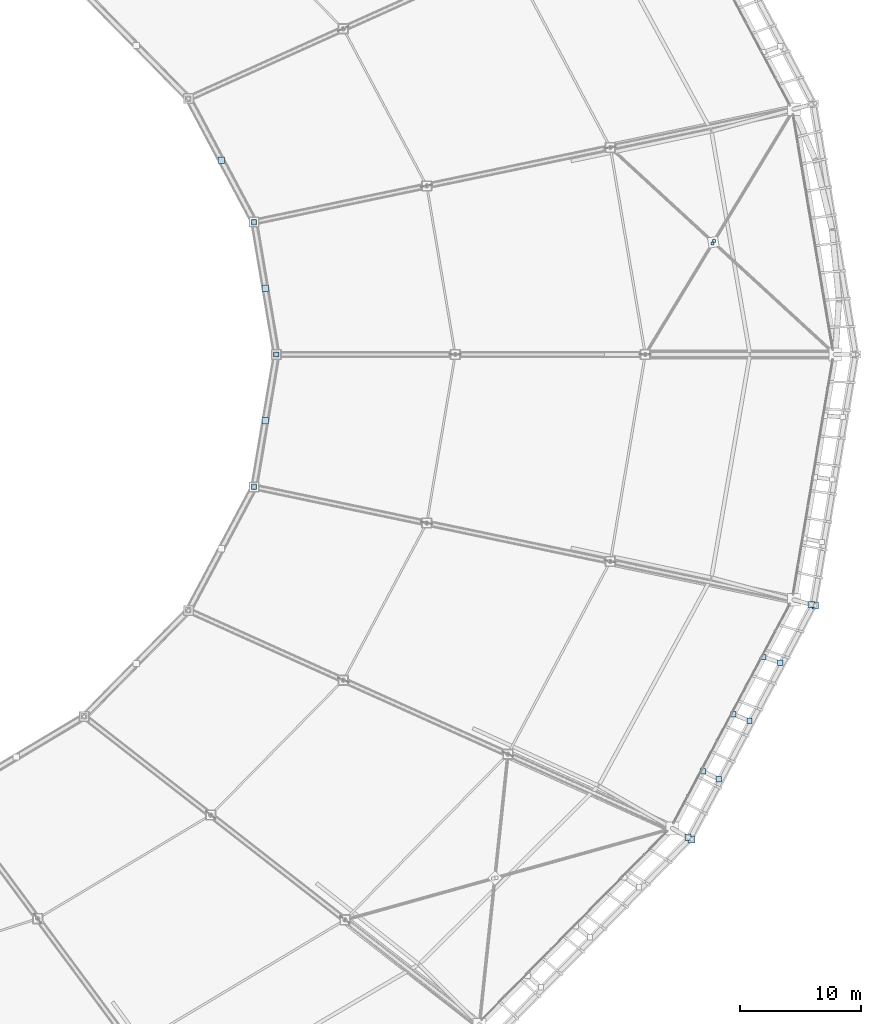
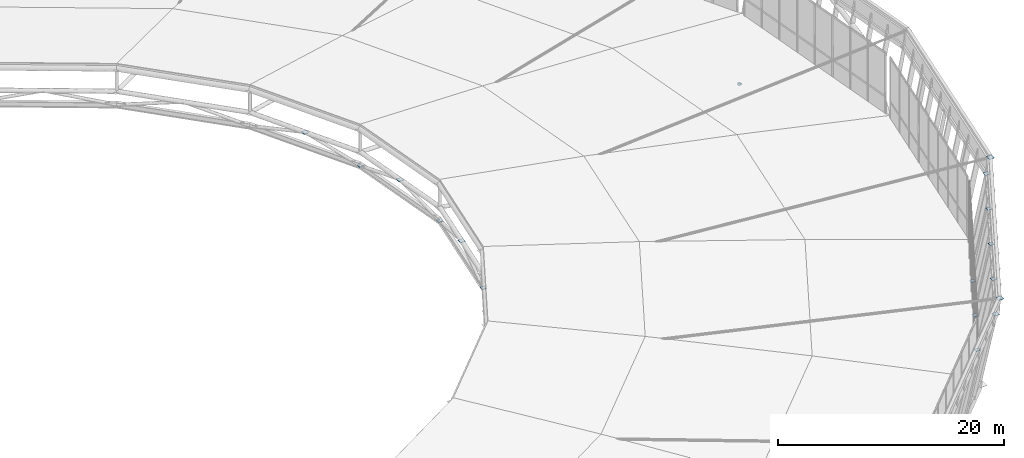
# One storey, part 106 of 115: 18 plates.
"""IFC4 building model written with IfcOpenShell, lengths in metres."""

from ifc_helpers import new_model, si_unit, direction, frame, origin, origin_2d, place, context, subcontext, project, spatial, rectangle, extrude, material, layer, layer_set, type_object, element, save


model = new_model("IFC4")

# Units and contexts
model_context = context("Model", 3, precision=1e-05, world=origin(), true_north=direction((0.0, 1.0)))
body_context = subcontext(model_context, "Body", "Model", "MODEL_VIEW")
ifc_project = project(units=[si_unit("LENGTHUNIT", "METRE"), si_unit("AREAUNIT", "SQUARE_METRE"), si_unit("VOLUMEUNIT", "CUBIC_METRE"), si_unit("PLANEANGLEUNIT", "RADIAN"), si_unit("MASSUNIT", "GRAM", prefix="KILO")], contexts=[model_context])

# Site, building, storey
site_placement = place(None, origin())
site = spatial("IfcSite", under=ifc_project, at=site_placement, CompositionType="ELEMENT")
building_placement = place(site_placement, origin())
building = spatial("IfcBuilding", under=site, at=building_placement, Name="Zlatoyarsky Gate Stadium", CompositionType="ELEMENT")
storey_placement = place(building_placement, frame((0.0, 0.0, 31.800048828125)))
storey = spatial("IfcBuildingStorey", under=building, at=storey_placement, Name="RF", CompositionType="ELEMENT", Elevation=31.800048828125)

# Plates
ifc_material = material(Name="Steel S355", Category="steel")
ifc_layer = layer(ifc_material, 0.02392578125)
ifc_layer_set = layer_set([ifc_layer], Name="Steel S355")
plate_type = type_object("IfcPlateType", Name="STEEL HOLLOW CHORD SPLICE SHEET 24", PredefinedType="SHEET", material=ifc_layer_set)
plate_1_placement = place(storey_placement, frame((164.094482421875, 85.45263671875, 6.43798828125), z_axis=(0.0, 0.0, 1.0), x_axis=(1.0, 0.0, 0.0)))
element("IfcPlate", 1, at=plate_1_placement, inside=storey, type_object=plate_type, Name="Node closure plate ND-SP1 NCAP-CATM-00", PredefinedType="SHEET", context=body_context, shape_type="SweptSolid", body=[
    extrude(rectangle(XDim=0.52001953125, YDim=0.52001953125, at=origin_2d()), origin(), (0.0, 0.0, 1.0), 0.02392578125),
])
plate_2_placement = place(storey_placement, frame((165.014892578125, 80.0, 4.988037109375), z_axis=(0.0, 0.0, 1.0), x_axis=(1.0, 0.0, 0.0)))
element("IfcPlate", 2, at=plate_2_placement, inside=storey, type_object=plate_type, Name="Node closure plate ND-SP1 NCAP-CAT-00", PredefinedType="SHEET", context=body_context, shape_type="SweptSolid", body=[
    extrude(rectangle(XDim=0.449951171875, YDim=0.449951171875, at=origin_2d()), origin(), (0.0, 0.0, 1.0), 0.02392578125),
])
for number, where, z_axis, x_axis, name in (
    (3, (201.04541015625, 89.345458984375, 1.564697265625), (0.0, 0.0, 1.0), (1.0, 0.0, 0.0), "Node closure plate ND-SP1 NCAP-XBH1-00"),
    (4, (200.9189453125, 89.136474609375, 1.599853515625), (0.0, 0.0, 1.0), (1.0, 0.0, 0.0), "Node closure plate ND-SP1 NCAP-XBH2-00"),
):
    element("IfcPlate", number, at=place(storey_placement, frame(where, z_axis=z_axis, x_axis=x_axis)), inside=storey, type_object=plate_type, Name=name, PredefinedType="SHEET", context=body_context, shape_type="SweptSolid", body=[
        extrude(rectangle(XDim=0.280029296875, YDim=0.280029296875, at=origin_2d()), origin(), (0.0, 0.0, 1.0), 0.02392578125),
    ])
plate_3_placement = place(storey_placement, frame((160.476318359375, 95.986328125, 6.43798828125), z_axis=(0.0, 0.0, 1.0), x_axis=(1.0, 0.0, 0.0)))
element("IfcPlate", 5, at=plate_3_placement, inside=storey, type_object=plate_type, Name="Node closure plate ND-SP1 NCAP-CATM-01", PredefinedType="SHEET", context=body_context, shape_type="SweptSolid", body=[
    extrude(rectangle(XDim=0.52001953125, YDim=0.52001953125, at=origin_2d()), origin(), (0.0, 0.0, 1.0), 0.02392578125),
])
plate_4_placement = place(storey_placement, frame((163.17431640625, 90.9052734375, 4.988037109375), z_axis=(0.0, 0.0, 1.0), x_axis=(1.0, 0.0, 0.0)))
element("IfcPlate", 6, at=plate_4_placement, inside=storey, type_object=plate_type, Name="Node closure plate ND-SP1 NCAP-CAT-01", PredefinedType="SHEET", context=body_context, shape_type="SweptSolid", body=[
    extrude(rectangle(XDim=0.449951171875, YDim=0.449951171875, at=origin_2d()), origin(), (0.0, 0.0, 1.0), 0.02392578125),
])
plate_5_placement = place(storey_placement, frame((199.19970703125, 40.077880859375, 8.837890625), z_axis=(0.0, 0.0, 1.0), x_axis=(1.0, 0.0, 0.0)))
element("IfcPlate", 7, at=plate_5_placement, inside=storey, type_object=plate_type, Name="Node closure plate ND-SP1 NCAP-FSC-22", PredefinedType="SHEET", context=body_context, shape_type="SweptSolid", body=[
    extrude(rectangle(XDim=0.56005859375, YDim=0.56005859375, at=origin_2d()), origin(), (0.0, 0.0, 1.0), 0.02392578125),
])
plate_6_placement = place(storey_placement, frame((198.8974609375, 40.252197265625, 7.137939453125), z_axis=(0.0, 0.0, 1.0), x_axis=(1.0, 0.0, 0.0)))
element("IfcPlate", 8, at=plate_6_placement, inside=storey, type_object=plate_type, Name="Node closure plate ND-SP1 NCAP-FSCB-22", PredefinedType="SHEET", context=body_context, shape_type="SweptSolid", body=[
    extrude(rectangle(XDim=0.52001953125, YDim=0.52001953125, at=origin_2d()), origin(), (0.0, 0.0, 1.0), 0.02392578125),
])
for number, where, z_axis, x_axis, name in (
    (9, (200.12451171875, 45.69091796875, -0.4619140625), (0.0, 0.0, 1.0), (1.0, 0.0, 0.0), "Node closure plate ND-SP1 NCAP-RIB-22-1-4T"),
    (10, (201.432373046875, 45.04541015625, 7.137939453125), (0.0, 0.0, 1.0), (1.0, 0.0, 0.0), "Node closure plate ND-SP1 NCAP-RIB-22-1-5T"),
    (11, (202.622802734375, 50.3955078125, -0.4619140625), (0.0, 0.0, 1.0), (1.0, 0.0, 0.0), "Node closure plate ND-SP1 NCAP-RIB-22-2-4T"),
    (12, (203.96728515625, 49.838623046875, 7.137939453125), (0.0, 0.0, 1.0), (1.0, 0.0, 0.0), "Node closure plate ND-SP1 NCAP-RIB-22-2-5T"),
    (13, (205.12109375, 55.100341796875, -0.4619140625), (0.0, 0.0, 1.0), (1.0, 0.0, 0.0), "Node closure plate ND-SP1 NCAP-RIB-22-3-4T"),
    (14, (206.501953125, 54.6318359375, 7.137939453125), (0.0, 0.0, 1.0), (1.0, 0.0, 0.0), "Node closure plate ND-SP1 NCAP-RIB-22-3-5T"),
):
    element("IfcPlate", number, at=place(storey_placement, frame(where, z_axis=z_axis, x_axis=x_axis)), inside=storey, type_object=plate_type, Name=name, PredefinedType="SHEET", context=body_context, shape_type="SweptSolid", body=[
        extrude(rectangle(XDim=0.43994140625, YDim=0.43994140625, at=origin_2d()), origin(), (0.0, 0.0, 1.0), 0.02392578125),
    ])
plate_7_placement = place(storey_placement, frame((209.373779296875, 59.334716796875, 8.837890625), z_axis=(0.0, 0.0, 1.0), x_axis=(1.0, 0.0, 0.0)))
element("IfcPlate", 15, at=plate_7_placement, inside=storey, type_object=plate_type, Name="Node closure plate ND-SP1 NCAP-FSC-23", PredefinedType="SHEET", context=body_context, shape_type="SweptSolid", body=[
    extrude(rectangle(XDim=0.56005859375, YDim=0.56005859375, at=origin_2d()), origin(), (0.0, 0.0, 1.0), 0.02392578125),
])
for number, where, z_axis, x_axis, name in (
    (16, (209.036865234375, 59.425048828125, 7.137939453125), (0.0, 0.0, 1.0), (1.0, 0.0, 0.0), "Node closure plate ND-SP1 NCAP-FSCB-23"),
    (17, (164.094482421875, 74.54736328125, 6.43798828125), (0.0, 0.0, 1.0), (1.0, 0.0, 0.0), "Node closure plate ND-SP1 NCAP-CATM-23"),
):
    element("IfcPlate", number, at=place(storey_placement, frame(where, z_axis=z_axis, x_axis=x_axis)), inside=storey, type_object=plate_type, Name=name, PredefinedType="SHEET", context=body_context, shape_type="SweptSolid", body=[
        extrude(rectangle(XDim=0.52001953125, YDim=0.52001953125, at=origin_2d()), origin(), (0.0, 0.0, 1.0), 0.02392578125),
    ])
plate_8_placement = place(storey_placement, frame((163.17431640625, 69.0947265625, 4.988037109375), z_axis=(0.0, 0.0, 1.0), x_axis=(1.0, 0.0, 0.0)))
element("IfcPlate", 18, at=plate_8_placement, inside=storey, type_object=plate_type, Name="Node closure plate ND-SP1 NCAP-CAT-23", PredefinedType="SHEET", context=body_context, shape_type="SweptSolid", body=[
    extrude(rectangle(XDim=0.449951171875, YDim=0.449951171875, at=origin_2d()), origin(), (0.0, 0.0, 1.0), 0.02392578125),
])

save(model, "model.ifc")
